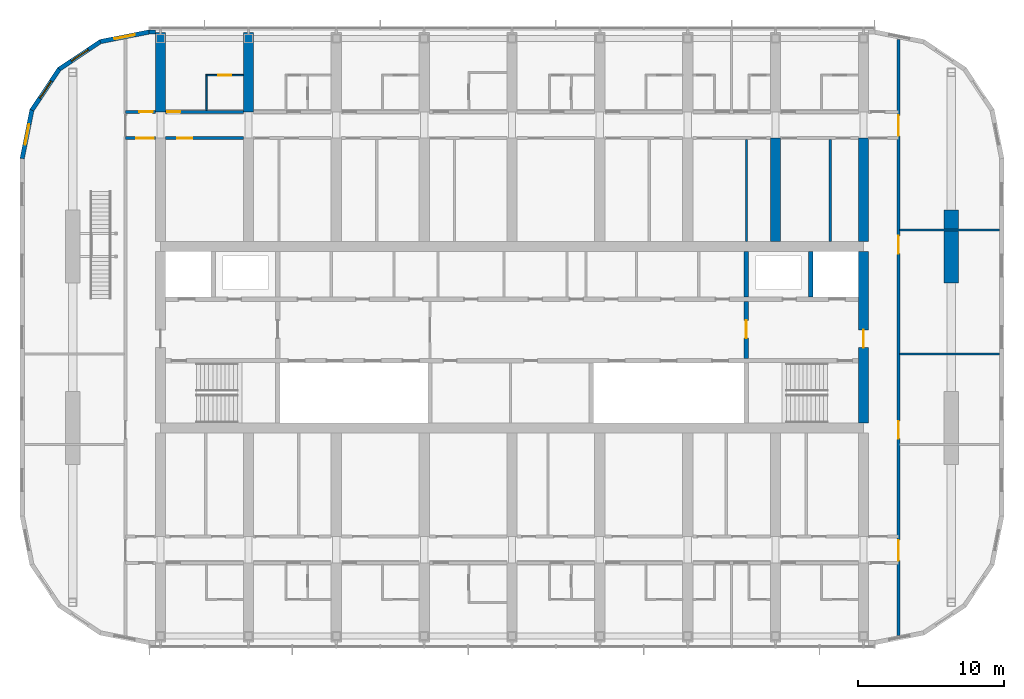
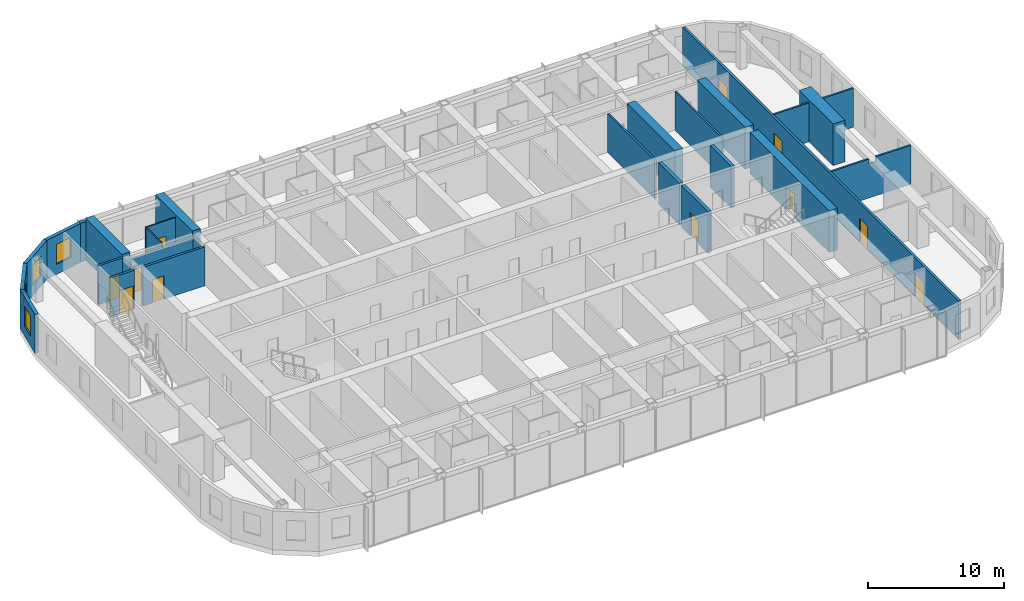
# One storey, part 18 of 28: 25 walls, 11 doors, 4 windows, 15 openings.
"""IFC4 building model written with IfcOpenShell, lengths in metres."""

import ifcopenshell
import ifcopenshell.guid

model = None  # the IFC model being written
_history = None  # IfcOwnerHistory: only IFC2X3 demands one
_inside = {}  # id of a spatial element -> (the spatial element, [elements in it])
_under = {}  # id of a project, library or spatial element -> (it, [spatial elements below it])
_declared = {}  # id of a project -> (the project, [libraries it declares])
_typed = {}  # id of a type object -> (the type object, [elements of that type])
_made_of = {}  # id of a material, layer set ... -> (it, [elements and type objects made of it])


def new_model(schema):
    """Start an empty IFC model of exactly this schema.

    Asked for "IFC4X3", IfcOpenShell would pick the latest addendum, in which some entities
    have other attributes; the version numbers below select the first issue.
    IFC2X3 requires an IfcOwnerHistory on every rooted entity: one is made here for all.
    """
    global model, _history
    if schema == "IFC4X3":
        model = ifcopenshell.file(schema_version=(4, 3, 0, 0))
    else:
        model = ifcopenshell.file(schema=schema)
    _inside.clear()
    _under.clear()
    _declared.clear()
    _typed.clear()
    _made_of.clear()
    _history = None
    if model.schema == "IFC2X3":
        org = make("IfcOrganization", Name="unknown")
        user = make(
            "IfcPersonAndOrganization",
            ThePerson=make("IfcPerson", FamilyName="unknown"),
            TheOrganization=org,
        )
        app = make(
            "IfcApplication",
            ApplicationDeveloper=org,
            Version="unknown",
            ApplicationFullName="unknown",
            ApplicationIdentifier="unknown",
        )
        _history = make(
            "IfcOwnerHistory",
            OwningUser=user,
            OwningApplication=app,
            ChangeAction="ADDED",
            CreationDate=0,
        )
    return model


def make(cls, **values):
    """One entity of the class cls with the attributes given. An attribute that is None is left unset."""
    return model.create_entity(
        cls, **{name: value for name, value in values.items() if value is not None}
    )


def rooted(cls, **values):
    """An entity with a GlobalId (a new one), such as an element, a storey or a relation."""
    return make(cls, GlobalId=ifcopenshell.guid.new(), OwnerHistory=_history, **values)


def si_unit(unit_type, name, prefix=None):
    """IfcSIUnit, for example si_unit("LENGTHUNIT", "METRE", prefix="MILLI")."""
    return make("IfcSIUnit", UnitType=unit_type, Prefix=prefix, Name=name)


def assignment(units):
    """IfcUnitAssignment: the units of a project."""
    return None if units is None else make("IfcUnitAssignment", Units=units)


def point(xyz):
    """IfcCartesianPoint."""
    return None if xyz is None else make("IfcCartesianPoint", Coordinates=xyz)


def direction(xyz):
    """IfcDirection."""
    return None if xyz is None else make("IfcDirection", DirectionRatios=xyz)


def frame(location, z_axis=None, x_axis=None):
    """IfcAxis2Placement3D, a coordinate frame: its origin and axes. An axis left out is left unset."""
    return make(
        "IfcAxis2Placement3D",
        Location=point(location),
        Axis=direction(z_axis),
        RefDirection=direction(x_axis),
    )


def frame_2d(location, x_axis=None):
    """IfcAxis2Placement2D, a coordinate frame in the plane: its origin and x axis."""
    return make(
        "IfcAxis2Placement2D", Location=point(location), RefDirection=direction(x_axis)
    )


def origin():
    """The frame at (0, 0, 0) with its axes left unset."""
    return frame((0.0, 0.0, 0.0))


def place(relative_to, where):
    """IfcLocalPlacement: puts the frame where relative to a parent placement (None: the world)."""
    return make(
        "IfcLocalPlacement", PlacementRelTo=relative_to, RelativePlacement=where
    )


def context(
    kind, dimensions, precision=None, world=None, true_north=None, identifier=None
):
    """IfcGeometricRepresentationContext, for example the 3D "Model" context."""
    return make(
        "IfcGeometricRepresentationContext",
        ContextIdentifier=identifier,
        ContextType=kind,
        CoordinateSpaceDimension=dimensions,
        Precision=precision,
        WorldCoordinateSystem=world,
        TrueNorth=true_north,
    )


def subcontext(parent, identifier, kind, view, scale=None):
    """IfcGeometricRepresentationSubContext, for example "Body" below "Model"."""
    return make(
        "IfcGeometricRepresentationSubContext",
        ContextIdentifier=identifier,
        ContextType=kind,
        ParentContext=parent,
        TargetScale=scale,
        TargetView=view,
    )


def project(units=None, contexts=None):
    """IfcProject with its units and contexts."""
    return rooted(
        "IfcProject",
        Name="project",
        RepresentationContexts=contexts,
        UnitsInContext=assignment(units),
    )


def spatial(cls, under=None, at=None, **own):
    """A site, building, storey or space (cls), placed at a placement, below another one or the project."""
    s = rooted(cls, ObjectPlacement=at, **own)
    if under is not None:
        _under.setdefault(under.id(), (under, []))[1].append(s)
    return s


def polyline(points):
    """IfcPolyline through the points."""
    return make("IfcPolyline", Points=[point(p) for p in points])


def profile(cls, at=None, kind="AREA", **sizes):
    """A parametric profile (cls). Its sizes go by their IFC names, for example OverallWidth=200.0."""
    return make(cls, ProfileType=kind, Position=at, **sizes)


def rectangle(**sizes):
    """IfcRectangleProfileDef."""
    return profile("IfcRectangleProfileDef", **sizes)


def outline(outer, holes=None, kind="AREA"):
    """IfcArbitraryClosedProfileDef: a profile drawn as a closed curve; with holes, ...WithVoids."""
    if holes is None:
        return make("IfcArbitraryClosedProfileDef", ProfileType=kind, OuterCurve=outer)
    return make(
        "IfcArbitraryProfileDefWithVoids",
        ProfileType=kind,
        OuterCurve=outer,
        InnerCurves=holes,
    )


def extrude(swept, where, along, depth):
    """IfcExtrudedAreaSolid: the profile swept, set in the frame where, extruded along a direction by depth."""
    return make(
        "IfcExtrudedAreaSolid",
        SweptArea=swept,
        Position=where,
        ExtrudedDirection=direction(along),
        Depth=depth,
    )


def shape(context_of_items, identifier, shape_type, items):
    """IfcShapeRepresentation: the items that make up one representation, for example the "Body"."""
    return make(
        "IfcShapeRepresentation",
        ContextOfItems=context_of_items,
        RepresentationIdentifier=identifier,
        RepresentationType=shape_type,
        Items=items,
    )


def material(Name=None, Category=None):
    """IfcMaterial."""
    return make("IfcMaterial", Name=Name, Category=Category)


def layer(
    of_material, thickness, ventilated=None, Name=None, Category=None, Priority=None
):
    """IfcMaterialLayer: one layer of a wall or slab, of a material (None: an air gap)."""
    return make(
        "IfcMaterialLayer",
        Material=of_material,
        LayerThickness=thickness,
        IsVentilated=ventilated,
        Name=Name,
        Category=Category,
        Priority=Priority,
    )


def layer_set(layers, Name=None):
    """IfcMaterialLayerSet."""
    return make("IfcMaterialLayerSet", MaterialLayers=layers, LayerSetName=Name)


def made_of(thing, what):
    """Note that an element or type object is made of a material, layer set ...; save() writes the relation."""
    if what is not None:
        _made_of.setdefault(what.id(), (what, []))[1].append(thing)
    return thing


def type_object(cls, material=None, **own):
    """A type object (cls), such as IfcWallType, which elements share."""
    return made_of(rooted(cls, **own), material)


def element(
    cls,
    number,
    at=None,
    inside=None,
    cuts=None,
    type_object=None,
    material=None,
    context=None,
    identifier="Body",
    shape_type=None,
    held_by="IfcProductDefinitionShape",
    body=None,
    shapes=None,
    **own,
):
    """One element of the class cls, such as IfcWall. Its Tag is "e" and its number.

    at: its placement. inside: the storey or other place that contains it. cuts: it is an
    opening in that element (IfcRelVoidsElement). A single representation is given by context,
    identifier, shape_type and body (its items); several are given by shapes. held_by: the class
    of the entity that holds the representations. save() writes the other relations.
    """
    e = rooted(cls, Tag="e%d" % number, ObjectPlacement=at, **own)
    if body is not None:
        shapes = [shape(context, identifier, shape_type, body)]
    if shapes is not None:
        e.Representation = make(held_by, Representations=shapes)
    if inside is not None:
        _inside.setdefault(inside.id(), (inside, []))[1].append(e)
    if cuts is not None:
        rooted(
            "IfcRelVoidsElement", RelatingBuildingElement=cuts, RelatedOpeningElement=e
        )
    if type_object is not None:
        _typed.setdefault(type_object.id(), (type_object, []))[1].append(e)
    return made_of(e, material)


def fill(opening, filler):
    """IfcRelFillsElement: the door or window that sits in an opening."""
    return rooted(
        "IfcRelFillsElement",
        RelatingOpeningElement=opening,
        RelatedBuildingElement=filler,
    )


def aggregate(whole, parts):
    """IfcRelAggregates: a whole, such as a stair, and the parts it consists of."""
    return rooted("IfcRelAggregates", RelatingObject=whole, RelatedObjects=parts)


def save(model, path):
    """Write the relations noted so far, then the file.

    IfcRelAggregates (storeys below a building ...), IfcRelContainedInSpatialStructure (elements
    in a storey), IfcRelDefinesByType, IfcRelAssociatesMaterial and IfcRelDeclares: one each for
    every whole, place, type object, material and project.
    """
    for whole, parts in _under.values():
        aggregate(whole, parts)
    for where, things in _inside.values():
        rooted(
            "IfcRelContainedInSpatialStructure",
            RelatedElements=things,
            RelatingStructure=where,
        )
    for kind, things in _typed.values():
        rooted("IfcRelDefinesByType", RelatedObjects=things, RelatingType=kind)
    for what, things in _made_of.values():
        rooted("IfcRelAssociatesMaterial", RelatedObjects=things, RelatingMaterial=what)
    for by, libraries in _declared.values():
        rooted("IfcRelDeclares", RelatingContext=by, RelatedDefinitions=libraries)
    model.write(path)


model = new_model("IFC4")

# Units and contexts
model_context = context("Model", 3, precision=1e-05, world=origin(), true_north=direction((0.0, 1.0)))
body_context = subcontext(model_context, "Body", "Model", "MODEL_VIEW")
ifc_project = project(units=[si_unit("LENGTHUNIT", "METRE"), si_unit("AREAUNIT", "SQUARE_METRE"), si_unit("VOLUMEUNIT", "CUBIC_METRE"), si_unit("PLANEANGLEUNIT", "RADIAN"), si_unit("MASSUNIT", "GRAM", prefix="KILO")], contexts=[model_context])

# Site, building, storey
site_placement = place(None, origin())
site = spatial("IfcSite", under=ifc_project, at=site_placement, CompositionType="ELEMENT")
building_placement = place(site_placement, origin())
building = spatial("IfcBuilding", under=site, at=building_placement, Name="Orbita Commons", CompositionType="ELEMENT")
storey_placement = place(building_placement, frame((0.0, 0.0, 216.550048828125)))
storey = spatial("IfcBuildingStorey", under=building, at=storey_placement, Name="L53", CompositionType="ELEMENT", Elevation=216.550048828125)

# Wall, opening, door
ifc_material_1 = material(Name="Concrete C50/60", Category="concrete")
ifc_layer_1 = layer(ifc_material_1, 0.300048828125)
ifc_layer_set_1 = layer_set([ifc_layer_1], Name="Concrete C50/60")
wall_type_1 = type_object("IfcWallType", Name="Core inner wall 300 C50/60", PredefinedType="SHEAR", material=ifc_layer_set_1)
wall_1_placement = place(storey_placement, frame((58.0, 30.550048828125, 0.0), z_axis=(0.0, 0.0, 1.0), x_axis=(0.0, 1.0, 0.0)))
wall_1 = element("IfcWall", 1, at=wall_1_placement, inside=storey, type_object=wall_type_1, Name="Firefighting lobby wall east L53", PredefinedType="SHEAR", context=body_context, shape_type="SweptSolid", body=[
    extrude(rectangle(XDim=3.89990234375, YDim=0.300048828125, at=frame_2d((1.949951171875, 0.0))), origin(), (0.0, 0.0, 1.0), 3.75),
])
opening_1_placement = place(wall_1_placement, frame((1.39990234375, 0.0, 0.0)))
opening_1 = element("IfcOpeningElement", 2, at=opening_1_placement, cuts=wall_1, Name="Opening D04", PredefinedType="OPENING", context=body_context, shape_type="SweptSolid", body=[
    extrude(rectangle(XDim=1.199951171875, YDim=2.10009765625, at=frame_2d((0.60009765625, 1.050048828125))), frame((0.0, 0.159912109375, 0.0), z_axis=(0.0, -1.0, 0.0), x_axis=(1.0, 0.0, 0.0)), (0.0, 0.0, 1.0), 0.320068359375),
])
ifc_material_2 = material(Name="Steel-faced fire door leaf", Category="steel")
door_type_1 = type_object("IfcDoorType", Name="Service door 20 min 1200x2100", OperationType="SINGLE_SWING_LEFT", PredefinedType="DOOR", material=ifc_material_2)
door_1_placement = place(opening_1_placement, origin())
door_1 = element("IfcDoor", 3, at=door_1_placement, inside=storey, type_object=door_type_1, Name="Lift lobby door east", OperationType="SINGLE_SWING_LEFT", OverallHeight=2.10009765625, OverallWidth=1.199951171875, PredefinedType="DOOR", context=body_context, shape_type="SweptSolid", body=[
    extrude(rectangle(XDim=1.199951171875, YDim=2.10009765625, at=frame_2d((0.60009765625, 1.050048828125))), frame((0.0, 0.02490234375, 0.0), z_axis=(0.0, -1.0, 0.0), x_axis=(1.0, 0.0, 0.0)), (0.0, 0.0, 1.0), 0.050048828125),
])
fill(opening_1, door_1)

# Walls
for number, where, z_axis, x_axis, name in (
    (4, (62.39990234375, 34.75, 0.0), (0.0, 0.0, 1.0), (0.0, 1.0, 0.0), "Firefighting lift FL2 shaft wall L53"),
    (5, (58.0, 34.75, 0.0), (0.0, 0.0, 1.0), (0.0, 1.0, 0.0), "Riser wall east L53"),
):
    element("IfcWall", number, at=place(storey_placement, frame(where, z_axis=z_axis, x_axis=x_axis)), inside=storey, type_object=wall_type_1, Name=name, PredefinedType="SHEAR", context=body_context, shape_type="SweptSolid", body=[
        extrude(rectangle(XDim=3.10009765625, YDim=0.300048828125, at=frame_2d((1.550048828125, 0.0))), origin(), (0.0, 0.0, 1.0), 3.75),
    ])

# Wall, opening, door
ifc_material_3 = material(Name="Concrete C50/60", Category="concrete")
ifc_layer_2 = layer(ifc_material_3, 0.699951171875)
ifc_layer_set_2 = layer_set([ifc_layer_2], Name="Concrete C50/60")
wall_type_2 = type_object("IfcWallType", Name="Core wall 700 C50/60", PredefinedType="SHEAR", material=ifc_layer_set_2)
wall_2_placement = place(storey_placement, frame((66.0, 26.14990234375, 0.0), z_axis=(0.0, 0.0, 1.0), x_axis=(0.0, 1.0, 0.0)))
wall_2 = element("IfcWall", 6, at=wall_2_placement, inside=storey, type_object=wall_type_2, Name="Core end wall east L53", PredefinedType="SHEAR", context=body_context, shape_type="SweptSolid", body=[
    extrude(rectangle(XDim=11.7001953125, YDim=0.699951171875, at=frame_2d((5.85009765625, 0.0))), origin(), (0.0, 0.0, 1.0), 3.75),
])
opening_2_placement = place(wall_2_placement, frame((5.14990234375, 0.0, 0.0)))
opening_2 = element("IfcOpeningElement", 7, at=opening_2_placement, cuts=wall_2, Name="Opening D01", PredefinedType="OPENING", context=body_context, shape_type="SweptSolid", body=[
    extrude(rectangle(XDim=1.199951171875, YDim=2.10009765625, at=frame_2d((0.60009765625, 1.050048828125))), frame((0.0, 0.35986328125, 0.0), z_axis=(0.0, -1.0, 0.0), x_axis=(1.0, 0.0, 0.0)), (0.0, 0.0, 1.0), 0.719970703125),
])
ifc_material_4 = material(Name="Steel-faced fire door leaf", Category="steel")
door_type_2 = type_object("IfcDoorType", Name="Fire door 90 min 1200x2100", OperationType="SINGLE_SWING_LEFT", PredefinedType="DOOR", material=ifc_material_4)
door_2_placement = place(opening_2_placement, origin())
door_2 = element("IfcDoor", 8, at=door_2_placement, inside=storey, type_object=door_type_2, Name="Firefighting lobby east door", OperationType="SINGLE_SWING_LEFT", OverallHeight=2.10009765625, OverallWidth=1.199951171875, PredefinedType="DOOR", context=body_context, shape_type="SweptSolid", body=[
    extrude(rectangle(XDim=1.199951171875, YDim=2.10009765625, at=frame_2d((0.60009765625, 1.050048828125))), frame((0.0, 0.02490234375, 0.0), z_axis=(0.0, -1.0, 0.0), x_axis=(1.0, 0.0, 0.0)), (0.0, 0.0, 1.0), 0.050048828125),
])
fill(opening_2, door_2)

ifc_material_5 = material(Name="Concrete blockwork", Category="masonry")
ifc_layer_3 = layer(ifc_material_5, 0.199951171875)
ifc_layer_set_3 = layer_set([ifc_layer_3], Name="Concrete blockwork")
wall_type_3 = type_object("IfcWallType", Name="Corridor wall 200 blockwork", PredefinedType="SOLIDWALL", material=ifc_layer_set_3)
wall_3_placement = place(storey_placement, frame((15.60009765625, 47.39990234375, 0.0), z_axis=(0.0, 0.0, 1.0), x_axis=(1.0, 0.0, 0.0)))
wall_3 = element("IfcWall", 9, at=wall_3_placement, inside=storey, type_object=wall_type_3, Name="Corridor wall 200 blockwork L53", PredefinedType="SOLIDWALL", context=body_context, shape_type="SweptSolid", body=[
    extrude(rectangle(XDim=2.0498046875, YDim=0.199951171875, at=frame_2d((1.02490234375, 0.0))), origin(), (0.0, 0.0, 1.0), 3.5),
])
opening_3_placement = place(wall_3_placement, frame((0.949951171875, 0.0, 0.0)))
opening_3 = element("IfcOpeningElement", 10, at=opening_3_placement, cuts=wall_3, Name="Opening D05", PredefinedType="OPENING", context=body_context, shape_type="SweptSolid", body=[
    extrude(rectangle(XDim=0.89990234375, YDim=2.10009765625, at=frame_2d((0.449951171875, 1.050048828125))), frame((0.0, 0.10986328125, 0.0), z_axis=(0.0, -1.0, 0.0), x_axis=(1.0, 0.0, 0.0)), (0.0, 0.0, 1.0), 0.219970703125),
])
ifc_material_6 = material(Name="Steel-faced fire door leaf", Category="steel")
door_type_3 = type_object("IfcDoorType", Name="Service door 20 min 900x2100", OperationType="SINGLE_SWING_LEFT", PredefinedType="DOOR", material=ifc_material_6)
door_3_placement = place(opening_3_placement, origin())
door_3 = element("IfcDoor", 11, at=door_3_placement, inside=storey, type_object=door_type_3, Name="Linen store L53-KWN door", OperationType="SINGLE_SWING_LEFT", OverallHeight=2.10009765625, OverallWidth=0.89990234375, PredefinedType="DOOR", context=body_context, shape_type="SweptSolid", body=[
    extrude(rectangle(XDim=0.89990234375, YDim=2.10009765625, at=frame_2d((0.449951171875, 1.050048828125))), frame((0.0, 0.02490234375, 0.0), z_axis=(0.0, -1.0, 0.0), x_axis=(1.0, 0.0, 0.0)), (0.0, 0.0, 1.0), 0.050048828125),
])
fill(opening_3, door_3)

wall_4_placement = place(storey_placement, frame((18.35009765625, 47.39990234375, 0.0), z_axis=(0.0, 0.0, 1.0), x_axis=(1.0, 0.0, 0.0)))
wall_4 = element("IfcWall", 12, at=wall_4_placement, inside=storey, type_object=wall_type_3, Name="Corridor wall 200 blockwork L53", PredefinedType="SOLIDWALL", context=body_context, shape_type="SweptSolid", body=[
    extrude(outline(polyline([(0.0, 0.0), (5.2998046875, 0.0), (5.300048828125, 3.099853515625), (0.0, 3.099853515625), (0.0, 0.0)])), frame((0.0, 0.10009765625, 0.0), z_axis=(0.0, -1.0, 0.0), x_axis=(1.0, 0.0, 0.0)), (0.0, 0.0, 1.0), 0.199951171875),
])
opening_4_placement = place(wall_4_placement, frame((0.10009765625, 0.0, 0.0)))
opening_4 = element("IfcOpeningElement", 13, at=opening_4_placement, cuts=wall_4, Name="Opening D11", PredefinedType="OPENING", context=body_context, shape_type="SweptSolid", body=[
    extrude(rectangle(XDim=0.89990234375, YDim=2.10009765625, at=frame_2d((0.449951171875, 1.050048828125))), frame((0.0, 0.10986328125, 0.0), z_axis=(0.0, -1.0, 0.0), x_axis=(1.0, 0.0, 0.0)), (0.0, 0.0, 1.0), 0.219970703125),
])
ifc_material_7 = material(Name="Steel-faced fire door leaf", Category="steel")
door_type_4 = type_object("IfcDoorType", Name="Corridor door 20 min 900x2100", OperationType="SINGLE_SWING_LEFT", PredefinedType="DOOR", material=ifc_material_7)
door_4_placement = place(opening_4_placement, origin())
door_4 = element("IfcDoor", 14, at=door_4_placement, inside=storey, type_object=door_type_4, Name="Studio apartment with kitchenette L53-N00 door", OperationType="SINGLE_SWING_LEFT", OverallHeight=2.10009765625, OverallWidth=0.89990234375, PredefinedType="DOOR", context=body_context, shape_type="SweptSolid", body=[
    extrude(rectangle(XDim=0.89990234375, YDim=2.10009765625, at=frame_2d((0.449951171875, 1.050048828125))), frame((0.0, 0.02490234375, 0.0), z_axis=(0.0, -1.0, 0.0), x_axis=(1.0, 0.0, 0.0)), (0.0, 0.0, 1.0), 0.050048828125),
])
fill(opening_4, door_4)

# Wall, openings, doors
wall_5_placement = place(storey_placement, frame((68.39990234375, 11.646240234375, 0.0), z_axis=(0.0, 0.0, 1.0), x_axis=(0.0, 1.0, 0.0)))
wall_5 = element("IfcWall", 15, at=wall_5_placement, inside=storey, type_object=wall_type_3, Name="Corridor wall 200 blockwork L53", PredefinedType="SOLIDWALL", context=body_context, shape_type="SweptSolid", body=[
    extrude(rectangle(XDim=40.70751953125, YDim=0.199951171875, at=frame_2d((20.353759765625, 0.0))), origin(), (0.0, 0.0, 1.0), 3.5),
])
opening_5_placement = place(wall_5_placement, frame((13.433837890625, 0.0, 0.0)))
opening_5 = element("IfcOpeningElement", 16, at=opening_5_placement, cuts=wall_5, Name="Opening D15", PredefinedType="OPENING", context=body_context, shape_type="SweptSolid", body=[
    extrude(rectangle(XDim=1.199951171875, YDim=2.10009765625, at=frame_2d((0.60009765625, 1.050048828125))), frame((0.0, 0.10986328125, 0.0), z_axis=(0.0, -1.0, 0.0), x_axis=(1.0, 0.0, 0.0)), (0.0, 0.0, 1.0), 0.219970703125),
])
opening_6_placement = place(wall_5_placement, frame((26.07373046875, 0.0, 0.0)))
opening_6 = element("IfcOpeningElement", 17, at=opening_6_placement, cuts=wall_5, Name="Opening D15", PredefinedType="OPENING", context=body_context, shape_type="SweptSolid", body=[
    extrude(rectangle(XDim=1.199951171875, YDim=2.10009765625, at=frame_2d((0.60009765625, 1.050048828125))), frame((0.0, 0.10986328125, 0.0), z_axis=(0.0, -1.0, 0.0), x_axis=(1.0, 0.0, 0.0)), (0.0, 0.0, 1.0), 0.219970703125),
])
opening_7_placement = place(wall_5_placement, frame((5.103759765625, 0.0, 0.0)))
opening_7 = element("IfcOpeningElement", 18, at=opening_7_placement, cuts=wall_5, Name="Opening D08", PredefinedType="OPENING", context=body_context, shape_type="SweptSolid", body=[
    extrude(rectangle(XDim=1.39990234375, YDim=2.10009765625, at=frame_2d((0.699951171875, 1.050048828125))), frame((0.0, 0.10986328125, 0.0), z_axis=(0.0, -1.0, 0.0), x_axis=(1.0, 0.0, 0.0)), (0.0, 0.0, 1.0), 0.219970703125),
])
opening_8_placement = place(wall_5_placement, frame((34.103759765625, 0.0, 0.0)))
opening_8 = element("IfcOpeningElement", 19, at=opening_8_placement, cuts=wall_5, Name="Opening D08", PredefinedType="OPENING", context=body_context, shape_type="SweptSolid", body=[
    extrude(rectangle(XDim=1.39990234375, YDim=2.10009765625, at=frame_2d((0.699951171875, 1.050048828125))), frame((0.0, 0.10986328125, 0.0), z_axis=(0.0, -1.0, 0.0), x_axis=(1.0, 0.0, 0.0)), (0.0, 0.0, 1.0), 0.219970703125),
])
ifc_material_8 = material(Name="Steel-faced fire door leaf", Category="steel")
door_type_5 = type_object("IfcDoorType", Name="Corridor door 20 min 1200x2100", OperationType="SINGLE_SWING_LEFT", PredefinedType="DOOR", material=ifc_material_8)
door_5_placement = place(opening_5_placement, origin())
door_5 = element("IfcDoor", 20, at=door_5_placement, inside=storey, type_object=door_type_5, Name="Reading room door", OperationType="SINGLE_SWING_LEFT", OverallHeight=2.10009765625, OverallWidth=1.199951171875, PredefinedType="DOOR", context=body_context, shape_type="SweptSolid", body=[
    extrude(rectangle(XDim=1.199951171875, YDim=2.10009765625, at=frame_2d((0.60009765625, 1.050048828125))), frame((0.0, 0.02490234375, 0.0), z_axis=(0.0, -1.0, 0.0), x_axis=(1.0, 0.0, 0.0)), (0.0, 0.0, 1.0), 0.050048828125),
])
fill(opening_5, door_5)
door_6_placement = place(opening_6_placement, origin())
door_6 = element("IfcDoor", 21, at=door_6_placement, inside=storey, type_object=door_type_5, Name="Study hall door", OperationType="SINGLE_SWING_LEFT", OverallHeight=2.10009765625, OverallWidth=1.199951171875, PredefinedType="DOOR", context=body_context, shape_type="SweptSolid", body=[
    extrude(rectangle(XDim=1.199951171875, YDim=2.10009765625, at=frame_2d((0.60009765625, 1.050048828125))), frame((0.0, 0.02490234375, 0.0), z_axis=(0.0, -1.0, 0.0), x_axis=(1.0, 0.0, 0.0)), (0.0, 0.0, 1.0), 0.050048828125),
])
fill(opening_6, door_6)
ifc_material_9 = material(Name="Steel-faced fire door leaf", Category="steel")
door_type_6 = type_object("IfcDoorType", Name="Double corridor door 20 min 1400x2100", OperationType="DOUBLE_DOOR_SINGLE_SWING", PredefinedType="DOOR", material=ifc_material_9)
door_7_placement = place(opening_7_placement, origin())
door_7 = element("IfcDoor", 22, at=door_7_placement, inside=storey, type_object=door_type_6, Name="Lounge doors", OperationType="DOUBLE_DOOR_SINGLE_SWING", OverallHeight=2.10009765625, OverallWidth=1.39990234375, PredefinedType="DOOR", context=body_context, shape_type="SweptSolid", body=[
    extrude(rectangle(XDim=1.39990234375, YDim=2.10009765625, at=frame_2d((0.699951171875, 1.050048828125))), frame((0.0, 0.02490234375, 0.0), z_axis=(0.0, -1.0, 0.0), x_axis=(1.0, 0.0, 0.0)), (0.0, 0.0, 1.0), 0.050048828125),
])
fill(opening_7, door_7)
door_8_placement = place(opening_8_placement, origin())
door_8 = element("IfcDoor", 23, at=door_8_placement, inside=storey, type_object=door_type_6, Name="Lounge doors", OperationType="DOUBLE_DOOR_SINGLE_SWING", OverallHeight=2.10009765625, OverallWidth=1.39990234375, PredefinedType="DOOR", context=body_context, shape_type="SweptSolid", body=[
    extrude(rectangle(XDim=1.39990234375, YDim=2.10009765625, at=frame_2d((0.699951171875, 1.050048828125))), frame((0.0, 0.02490234375, 0.0), z_axis=(0.0, -1.0, 0.0), x_axis=(1.0, 0.0, 0.0)), (0.0, 0.0, 1.0), 0.050048828125),
])
fill(opening_8, door_8)

# Wall, opening, door
ifc_material_10 = material(Name="Hollow concrete block 200", Category="concrete")
ifc_layer_4 = layer(ifc_material_10, 0.199951171875)
ifc_layer_set_4 = layer_set([ifc_layer_4], Name="Hollow concrete block 200")
wall_type_4 = type_object("IfcWallType", Name="Corridor wall 200 hollow concrete block", PredefinedType="SOLIDWALL", material=ifc_layer_set_4)
wall_6_placement = place(storey_placement, frame((15.60009765625, 45.60009765625, 0.0), z_axis=(0.0, 0.0, 1.0), x_axis=(1.0, 0.0, 0.0)))
wall_6 = element("IfcWall", 24, at=wall_6_placement, inside=storey, type_object=wall_type_4, Name="Corridor wall 200 hollow concrete block L53", PredefinedType="SOLIDWALL", context=body_context, shape_type="SweptSolid", body=[
    extrude(rectangle(XDim=2.0498046875, YDim=0.199951171875, at=frame_2d((1.02490234375, 0.0))), origin(), (0.0, 0.0, 1.0), 3.5),
])
opening_9_placement = place(wall_6_placement, frame((0.75, 0.0, 0.0)))
opening_9 = element("IfcOpeningElement", 25, at=opening_9_placement, cuts=wall_6, Name="Opening D12", PredefinedType="OPENING", context=body_context, shape_type="SweptSolid", body=[
    extrude(rectangle(XDim=1.199951171875, YDim=2.10009765625, at=frame_2d((0.60009765625, 1.050048828125))), frame((0.0, 0.10986328125, 0.0), z_axis=(0.0, -1.0, 0.0), x_axis=(1.0, 0.0, 0.0)), (0.0, 0.0, 1.0), 0.219970703125),
])
ifc_material_11 = material(Name="Steel-faced fire door leaf", Category="steel")
door_type_7 = type_object("IfcDoorType", Name="Double corridor door 20 min 1200x2100", OperationType="DOUBLE_DOOR_SINGLE_SWING", PredefinedType="DOOR", material=ifc_material_11)
door_9_placement = place(opening_9_placement, origin())
door_9 = element("IfcDoor", 26, at=door_9_placement, inside=storey, type_object=door_type_7, Name="Cross corridor doors", OperationType="DOUBLE_DOOR_SINGLE_SWING", OverallHeight=2.10009765625, OverallWidth=1.199951171875, PredefinedType="DOOR", context=body_context, shape_type="SweptSolid", body=[
    extrude(rectangle(XDim=1.199951171875, YDim=2.10009765625, at=frame_2d((0.60009765625, 1.050048828125))), frame((0.0, 0.02490234375, 0.0), z_axis=(0.0, -1.0, 0.0), x_axis=(1.0, 0.0, 0.0)), (0.0, 0.0, 1.0), 0.050048828125),
])
fill(opening_9, door_9)

wall_7_placement = place(storey_placement, frame((18.35009765625, 45.60009765625, 0.0), z_axis=(0.0, 0.0, 1.0), x_axis=(1.0, 0.0, 0.0)))
wall_7 = element("IfcWall", 27, at=wall_7_placement, inside=storey, type_object=wall_type_4, Name="Corridor wall 200 hollow concrete block L53", PredefinedType="SOLIDWALL", context=body_context, shape_type="SweptSolid", body=[
    extrude(rectangle(XDim=5.2998046875, YDim=0.199951171875, at=frame_2d((2.64990234375, 0.0))), origin(), (0.0, 0.0, 1.0), 3.5),
])
opening_10_placement = place(wall_7_placement, frame((0.800048828125, 0.0, 0.0)))
opening_10 = element("IfcOpeningElement", 28, at=opening_10_placement, cuts=wall_7, Name="Opening D06", PredefinedType="OPENING", context=body_context, shape_type="SweptSolid", body=[
    extrude(rectangle(XDim=1.0, YDim=2.10009765625, at=frame_2d((0.5, 1.050048828125))), frame((0.0, 0.10986328125, 0.0), z_axis=(0.0, -1.0, 0.0), x_axis=(1.0, 0.0, 0.0)), (0.0, 0.0, 1.0), 0.219970703125),
])
ifc_material_12 = material(Name="Steel-faced fire door leaf", Category="steel")
door_type_8 = type_object("IfcDoorType", Name="Corridor door 20 min 1000x2100", OperationType="SINGLE_SWING_LEFT", PredefinedType="DOOR", material=ifc_material_12)
door_10_placement = place(opening_10_placement, origin())
door_10 = element("IfcDoor", 29, at=door_10_placement, inside=storey, type_object=door_type_8, Name="Ventilation plant room south L53-BDN18 door", OperationType="SINGLE_SWING_LEFT", OverallHeight=2.10009765625, OverallWidth=1.0, PredefinedType="DOOR", context=body_context, shape_type="SweptSolid", body=[
    extrude(rectangle(XDim=1.0, YDim=2.10009765625, at=frame_2d((0.5, 1.050048828125))), frame((0.0, 0.02490234375, 0.0), z_axis=(0.0, -1.0, 0.0), x_axis=(1.0, 0.0, 0.0)), (0.0, 0.0, 1.0), 0.050048828125),
])
fill(opening_10, door_10)

# Walls
ifc_material_13 = material(Name="Concrete C50/60", Category="concrete")
ifc_layer_5 = layer(ifc_material_13, 0.699951171875)
ifc_layer_set_5 = layer_set([ifc_layer_5], Name="Concrete C50/60")
wall_type_5 = type_object("IfcWallType", Name="Cross wall 700 C50/60", PredefinedType="SHEAR", material=ifc_layer_set_5)
for number, where, z_axis, x_axis, name in (
    (30, (18.0, 47.39990234375, 0.0), (0.0, 0.0, 1.0), (0.0, 1.0, 0.0), "Cross wall 4 north outer L53"),
    (31, (24.0, 47.39990234375, 0.0), (0.0, 0.0, 1.0), (0.0, 1.0, 0.0), "Cross wall 5 north outer L53"),
):
    element("IfcWall", number, at=place(storey_placement, frame(where, z_axis=z_axis, x_axis=x_axis)), inside=storey, type_object=wall_type_5, Name=name, PredefinedType="SHEAR", context=body_context, shape_type="SweptSolid", body=[
        extrude(rectangle(XDim=5.400146484375, YDim=0.699951171875, at=frame_2d((2.7001953125, 0.0))), origin(), (0.0, 0.0, 1.0), 3.75),
    ])
for number, where, z_axis, x_axis, name in (
    (32, (60.0, 38.550048828125, 0.0), (0.0, 0.0, 1.0), (0.0, 1.0, 0.0), "Cross wall 11 north inner L53"),
    (33, (66.0, 38.550048828125, 0.0), (0.0, 0.0, 1.0), (0.0, 1.0, 0.0), "Cross wall 12 north inner L53"),
):
    element("IfcWall", number, at=place(storey_placement, frame(where, z_axis=z_axis, x_axis=x_axis)), inside=storey, type_object=wall_type_5, Name=name, PredefinedType="SHEAR", context=body_context, shape_type="SweptSolid", body=[
        extrude(rectangle(XDim=7.050048828125, YDim=0.699951171875, at=frame_2d((3.52490234375, 0.0))), origin(), (0.0, 0.0, 1.0), 3.75),
    ])

# Wall, opening, door
ifc_material_14 = material(Name="Moisture-resistant plasterboard on steel studs", Category="steel")
ifc_layer_6 = layer(ifc_material_14, 0.10009765625)
ifc_layer_set_6 = layer_set([ifc_layer_6], Name="Moisture-resistant plasterboard on steel studs")
wall_type_6 = type_object("IfcWallType", Name="En-suite partition 100", PredefinedType="PARTITIONING", material=ifc_layer_set_6)
wall_8_placement = place(storey_placement, frame((21.10009765625, 49.89990234375, 0.0), z_axis=(0.0, 0.0, 1.0), x_axis=(1.0, 0.0, 0.0)))
wall_8 = element("IfcWall", 34, at=wall_8_placement, inside=storey, type_object=wall_type_6, Name="En-suite partition 100 L53", PredefinedType="PARTITIONING", context=body_context, shape_type="SweptSolid", body=[
    extrude(rectangle(XDim=2.5498046875, YDim=0.10009765625, at=frame_2d((1.27490234375, 0.0))), origin(), (0.0, 0.0, 1.0), 3.5),
])
opening_11_placement = place(wall_8_placement, frame((0.824951171875, 0.0, 0.0)))
opening_11 = element("IfcOpeningElement", 35, at=opening_11_placement, cuts=wall_8, Name="Opening D09", PredefinedType="OPENING", context=body_context, shape_type="SweptSolid", body=[
    extrude(rectangle(XDim=0.89990234375, YDim=2.10009765625, at=frame_2d((0.449951171875, 1.050048828125))), frame((0.0, 0.06005859375, 0.0), z_axis=(0.0, -1.0, 0.0), x_axis=(1.0, 0.0, 0.0)), (0.0, 0.0, 1.0), 0.1201171875),
])
ifc_material_15 = material(Name="Laminated timber door leaf", Category="wood")
door_type_9 = type_object("IfcDoorType", Name="En-suite door 900x2100", OperationType="SINGLE_SWING_RIGHT", PredefinedType="DOOR", material=ifc_material_15)
door_11_placement = place(opening_11_placement, origin())
door_11 = element("IfcDoor", 36, at=door_11_placement, inside=storey, type_object=door_type_9, Name="En-suite L53-N00 door", OperationType="SINGLE_SWING_RIGHT", OverallHeight=2.10009765625, OverallWidth=0.89990234375, PredefinedType="DOOR", context=body_context, shape_type="SweptSolid", body=[
    extrude(rectangle(XDim=0.89990234375, YDim=2.10009765625, at=frame_2d((0.449951171875, 1.050048828125))), frame((0.0, 0.02490234375, 0.0), z_axis=(0.0, -1.0, 0.0), x_axis=(1.0, 0.0, 0.0)), (0.0, 0.0, 1.0), 0.050048828125),
])
fill(opening_11, door_11)

# Walls
wall_9_placement = place(storey_placement, frame((21.14990234375, 49.85009765625, 0.0), z_axis=(0.0, 0.0, 1.0), x_axis=(0.0, -1.0, 0.0)))
element("IfcWall", 37, at=wall_9_placement, inside=storey, type_object=wall_type_6, Name="En-suite partition 100 L53", PredefinedType="PARTITIONING", context=body_context, shape_type="SweptSolid", body=[
    extrude(outline(polyline([(0.0, 0.0), (2.35009765625, 0.0), (2.35009765625, 3.099853515625), (2.302001953125, 3.099853515625), (2.300048828125, 3.5), (0.0, 3.5), (0.0, 0.0)])), frame((0.0, 0.050048828125, 0.0), z_axis=(0.0, -1.0, 0.0), x_axis=(1.0, 0.0, 0.0)), (0.0, 0.0, 1.0), 0.10009765625),
])
ifc_material_16 = material(Name="Concrete C50/60", Category="concrete")
ifc_layer_7 = layer(ifc_material_16, 1.0)
ifc_layer_set_7 = layer_set([ifc_layer_7], Name="Concrete C50/60")
wall_type_7 = type_object("IfcWallType", Name="End pier 1000x5000 C50/60", PredefinedType="SHEAR", material=ifc_layer_set_7)
wall_10_placement = place(storey_placement, frame((72.0, 35.699951171875, 0.0), z_axis=(0.0, 0.0, 1.0), x_axis=(0.0, 1.0, 0.0)))
element("IfcWall", 38, at=wall_10_placement, inside=storey, type_object=wall_type_7, Name="End pier 13/D L53", PredefinedType="SHEAR", context=body_context, shape_type="SweptSolid", body=[
    extrude(rectangle(XDim=5.0, YDim=1.0, at=frame_2d((2.5, 0.0))), origin(), (0.0, 0.0, 1.0), 3.75),
])
ifc_material_17 = material(Name="Gypsum plasterboard on steel studs", Category="steel")
ifc_layer_8 = layer(ifc_material_17, 0.14990234375)
ifc_layer_set_8 = layer_set([ifc_layer_8], Name="Gypsum plasterboard on steel studs")
wall_type_8 = type_object("IfcWallType", Name="Partition 150 plasterboard", PredefinedType="PARTITIONING", material=ifc_layer_set_8)
for number, where, z_axis, x_axis, name in (
    (39, (58.014892578125, 38.550048828125, 0.0), (0.0, 0.0, 1.0), (0.0, 1.0, 0.0), "Partition 150 plasterboard L53"),
    (40, (63.739990234375, 38.550048828125, 0.0), (0.0, 0.0, 1.0), (0.0, 1.0, 0.0), "Partition 150 plasterboard L53"),
):
    element("IfcWall", number, at=place(storey_placement, frame(where, z_axis=z_axis, x_axis=x_axis)), inside=storey, type_object=wall_type_8, Name=name, PredefinedType="PARTITIONING", context=body_context, shape_type="SweptSolid", body=[
        extrude(rectangle(XDim=6.949951171875, YDim=0.14990234375, at=frame_2d((3.47509765625, 0.0))), origin(), (0.0, 0.0, 1.0), 3.5),
    ])
wall_11_placement = place(storey_placement, frame((68.47509765625, 30.85009765625, 0.0), z_axis=(0.0, 0.0, 1.0), x_axis=(1.0, 0.0, 0.0)))
element("IfcWall", 41, at=wall_11_placement, inside=storey, type_object=wall_type_8, Name="Partition 150 plasterboard L53", PredefinedType="PARTITIONING", context=body_context, shape_type="SweptSolid", body=[
    extrude(outline(polyline([(0.0, 0.0), (6.81982421875, 0.0), (6.820068359375, 3.5), (3.826904296875, 3.5), (3.824951171875, 3.050048828125), (3.22705078125, 3.050048828125), (3.22509765625, 3.5), (0.0, 3.5), (0.0, 0.0)])), frame((0.0, 0.074951171875, 0.0), z_axis=(0.0, -1.0, 0.0), x_axis=(1.0, 0.0, 0.0)), (0.0, 0.0, 1.0), 0.14990234375),
])
wall_12_placement = place(storey_placement, frame((68.47509765625, 39.320068359375, 0.0), z_axis=(0.0, 0.0, 1.0), x_axis=(1.0, 0.0, 0.0)))
element("IfcWall", 42, at=wall_12_placement, inside=storey, type_object=wall_type_8, Name="Partition 150 plasterboard L53", PredefinedType="PARTITIONING", context=body_context, shape_type="SweptSolid", body=[
    extrude(rectangle(XDim=6.81982421875, YDim=0.14990234375, at=frame_2d((3.409912109375, 0.0))), origin(), (0.0, 0.0, 1.0), 3.5),
])

# Wall, opening, window
ifc_material_18 = material(Name="Precast concrete C40/50, white board-marked finish", Category="concrete")
ifc_layer_9 = layer(ifc_material_18, 0.300048828125)
ifc_layer_set_9 = layer_set([ifc_layer_9], Name="Precast concrete C40/50, white board-marked finish")
wall_type_9 = type_object("IfcWallType", Name="Precast concrete end shield 300", PredefinedType="SOLIDWALL", material=ifc_layer_set_9)
wall_13_placement = place(storey_placement, frame((17.199951171875, 52.85009765625, 0.0), z_axis=(0.0, 0.0, 1.0), x_axis=(-0.98078325777, -0.195100490205, 0.0)))
wall_13 = element("IfcWall", 43, at=wall_13_placement, inside=storey, type_object=wall_type_9, Name="End shield NW chord 1 L53", PredefinedType="SOLIDWALL", context=body_context, shape_type="SweptSolid", body=[
    extrude(outline(polyline([(-0.02978515625, -0.14990234375), (3.40478515625, -0.14990234375), (3.34521484375, 0.14990234375), (0.02978515625, 0.14990234375), (-0.02978515625, -0.14990234375)])), origin(), (0.0, 0.0, 1.0), 3.5),
])
opening_12_placement = place(wall_13_placement, frame((0.987548828125, 0.0, 0.89990234375)))
opening_12 = element("IfcOpeningElement", 44, at=opening_12_placement, cuts=wall_13, Name="Opening W02", PredefinedType="OPENING", context=body_context, shape_type="SweptSolid", body=[
    extrude(rectangle(XDim=1.39990234375, YDim=1.800048828125, at=frame_2d((0.699951171875, 0.89990234375))), frame((0.0, 0.159912109375, 0.0), z_axis=(0.0, -1.0, 0.0), x_axis=(1.0, 0.0, 0.0)), (0.0, 0.0, 1.0), 0.320068359375),
])
ifc_material_19 = material(Name="Aluminium frame, clear double glazing", Category="aluminium")
window_type = type_object("IfcWindowType", Name="Deep-set window 1400x1800", PartitioningType="SINGLE_PANEL", PredefinedType="WINDOW", material=ifc_material_19)
window_1_placement = place(opening_12_placement, origin())
window_1 = element("IfcWindow", 45, at=window_1_placement, inside=storey, type_object=window_type, Name="Window L53-NW0", OverallHeight=1.800048828125, OverallWidth=1.39990234375, PartitioningType="SINGLE_PANEL", PredefinedType="WINDOW", context=body_context, shape_type="SweptSolid", body=[
    extrude(rectangle(XDim=1.39990234375, YDim=1.800048828125, at=frame_2d((0.699951171875, 0.89990234375))), frame((0.0, 0.030029296875, 0.0), z_axis=(0.0, -1.0, 0.0), x_axis=(1.0, 0.0, 0.0)), (0.0, 0.0, 1.0), 0.06005859375),
])
fill(opening_12, window_1)

wall_14_placement = place(storey_placement, frame((13.889892578125, 52.191650390625, 0.0), z_axis=(0.0, 0.0, 1.0), x_axis=(-0.831460037396, -0.555584562613, 0.0)))
wall_14 = element("IfcWall", 46, at=wall_14_placement, inside=storey, type_object=wall_type_9, Name="End shield NW chord 2 L53", PredefinedType="SOLIDWALL", context=body_context, shape_type="SweptSolid", body=[
    extrude(outline(polyline([(-0.02978515625, -0.14990234375), (3.405029296875, -0.14990234375), (3.345458984375, 0.14990234375), (0.02978515625, 0.14990234375), (-0.02978515625, -0.14990234375)])), origin(), (0.0, 0.0, 1.0), 3.5),
])
opening_13_placement = place(wall_14_placement, frame((0.987548828125, 0.0, 0.89990234375)))
opening_13 = element("IfcOpeningElement", 47, at=opening_13_placement, cuts=wall_14, Name="Opening W02", PredefinedType="OPENING", context=body_context, shape_type="SweptSolid", body=[
    extrude(rectangle(XDim=1.39990234375, YDim=1.800048828125, at=frame_2d((0.699951171875, 0.89990234375))), frame((0.0, 0.159912109375, 0.0), z_axis=(0.0, -1.0, 0.0), x_axis=(1.0, 0.0, 0.0)), (0.0, 0.0, 1.0), 0.320068359375),
])
window_2_placement = place(opening_13_placement, origin())
window_2 = element("IfcWindow", 48, at=window_2_placement, inside=storey, type_object=window_type, Name="Window L53-NW1", OverallHeight=1.800048828125, OverallWidth=1.39990234375, PartitioningType="SINGLE_PANEL", PredefinedType="WINDOW", context=body_context, shape_type="SweptSolid", body=[
    extrude(rectangle(XDim=1.39990234375, YDim=1.800048828125, at=frame_2d((0.699951171875, 0.89990234375))), frame((0.0, 0.030029296875, 0.0), z_axis=(0.0, -1.0, 0.0), x_axis=(1.0, 0.0, 0.0)), (0.0, 0.0, 1.0), 0.06005859375),
])
fill(opening_13, window_2)

wall_15_placement = place(storey_placement, frame((11.08349609375, 50.31640625, 0.0), z_axis=(0.0, 0.0, 1.0), x_axis=(-0.555567969291, -0.831471124873, 0.0)))
wall_15 = element("IfcWall", 49, at=wall_15_placement, inside=storey, type_object=wall_type_9, Name="End shield NW chord 3 L53", PredefinedType="SOLIDWALL", context=body_context, shape_type="SweptSolid", body=[
    extrude(outline(polyline([(-0.02978515625, -0.14990234375), (3.40478515625, -0.14990234375), (3.34521484375, 0.14990234375), (0.02978515625, 0.14990234375), (-0.02978515625, -0.14990234375)])), origin(), (0.0, 0.0, 1.0), 3.5),
])
opening_14_placement = place(wall_15_placement, frame((0.987548828125, 0.0, 0.89990234375)))
opening_14 = element("IfcOpeningElement", 50, at=opening_14_placement, cuts=wall_15, Name="Opening W02", PredefinedType="OPENING", context=body_context, shape_type="SweptSolid", body=[
    extrude(rectangle(XDim=1.39990234375, YDim=1.800048828125, at=frame_2d((0.699951171875, 0.89990234375))), frame((0.0, 0.159912109375, 0.0), z_axis=(0.0, -1.0, 0.0), x_axis=(1.0, 0.0, 0.0)), (0.0, 0.0, 1.0), 0.320068359375),
])
window_3_placement = place(opening_14_placement, origin())
window_3 = element("IfcWindow", 51, at=window_3_placement, inside=storey, type_object=window_type, Name="Window L53-NW2", OverallHeight=1.800048828125, OverallWidth=1.39990234375, PartitioningType="SINGLE_PANEL", PredefinedType="WINDOW", context=body_context, shape_type="SweptSolid", body=[
    extrude(rectangle(XDim=1.39990234375, YDim=1.800048828125, at=frame_2d((0.699951171875, 0.89990234375))), frame((0.0, 0.030029296875, 0.0), z_axis=(0.0, -1.0, 0.0), x_axis=(1.0, 0.0, 0.0)), (0.0, 0.0, 1.0), 0.06005859375),
])
fill(opening_14, window_3)

wall_16_placement = place(storey_placement, frame((9.20849609375, 47.51025390625, 0.0), z_axis=(0.0, 0.0, 1.0), x_axis=(-0.19508664885, -0.980786011034, 0.0)))
wall_16 = element("IfcWall", 52, at=wall_16_placement, inside=storey, type_object=wall_type_9, Name="End shield NW chord 4 L53", PredefinedType="SOLIDWALL", context=body_context, shape_type="SweptSolid", body=[
    extrude(outline(polyline([(-0.02978515625, -0.14990234375), (3.39013671875, -0.14990234375), (3.3603515625, 0.14990234375), (0.02978515625, 0.14990234375), (-0.02978515625, -0.14990234375)])), origin(), (0.0, 0.0, 1.0), 3.5),
])
opening_15_placement = place(wall_16_placement, frame((0.987548828125, 0.0, 0.89990234375)))
opening_15 = element("IfcOpeningElement", 53, at=opening_15_placement, cuts=wall_16, Name="Opening W02", PredefinedType="OPENING", context=body_context, shape_type="SweptSolid", body=[
    extrude(rectangle(XDim=1.39990234375, YDim=1.800048828125, at=frame_2d((0.699951171875, 0.89990234375))), frame((0.0, 0.159912109375, 0.0), z_axis=(0.0, -1.0, 0.0), x_axis=(1.0, 0.0, 0.0)), (0.0, 0.0, 1.0), 0.320068359375),
])
window_4_placement = place(opening_15_placement, origin())
window_4 = element("IfcWindow", 54, at=window_4_placement, inside=storey, type_object=window_type, Name="Window L53-NW3", OverallHeight=1.800048828125, OverallWidth=1.39990234375, PartitioningType="SINGLE_PANEL", PredefinedType="WINDOW", context=body_context, shape_type="SweptSolid", body=[
    extrude(rectangle(XDim=1.39990234375, YDim=1.800048828125, at=frame_2d((0.699951171875, 0.89990234375))), frame((0.0, 0.030029296875, 0.0), z_axis=(0.0, -1.0, 0.0), x_axis=(1.0, 0.0, 0.0)), (0.0, 0.0, 1.0), 0.06005859375),
])
fill(opening_15, window_4)

# Wall
wall_17_placement = place(storey_placement, frame((17.199951171875, 52.85009765625, 0.0), z_axis=(0.0, 0.0, 1.0), x_axis=(1.0, 0.0, 0.0)))
element("IfcWall", 55, at=wall_17_placement, inside=storey, type_object=wall_type_9, Name="End shield NW closer L53", PredefinedType="SOLIDWALL", context=body_context, shape_type="SweptSolid", body=[
    extrude(rectangle(XDim=0.449951171875, YDim=0.300048828125, at=frame_2d((0.22509765625, 0.0))), origin(), (0.0, 0.0, 1.0), 3.5),
])

save(model, "model.ifc")
